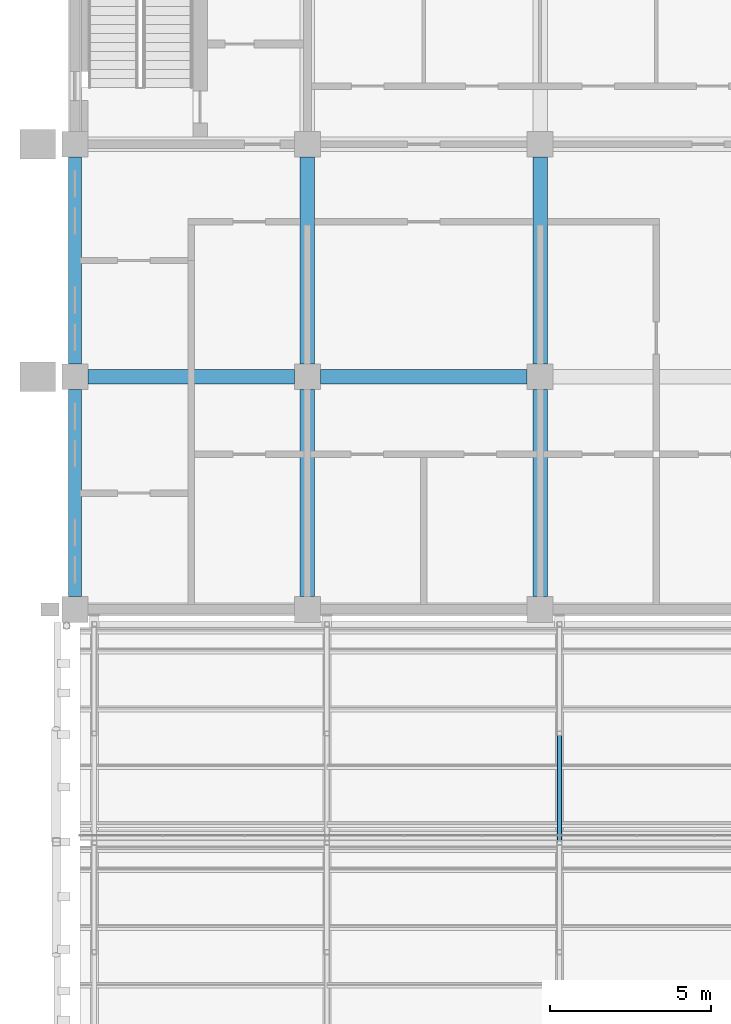
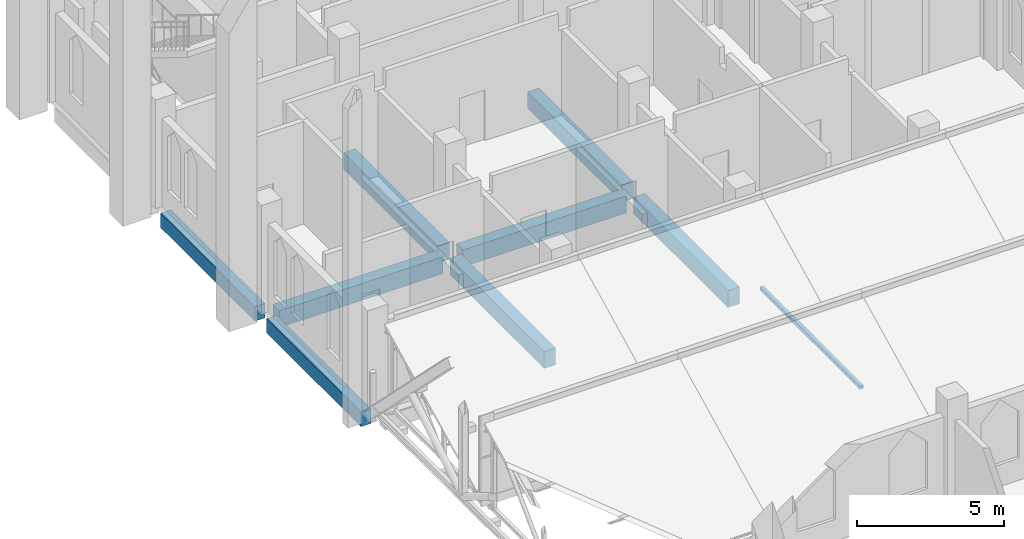
# One storey, part 11 of 29: 8 beams, 1 member.
"""IFC4 building model written with IfcOpenShell, lengths in metres."""

from ifc_helpers import new_model, si_unit, direction, frame, origin, origin_2d, place, context, subcontext, project, spatial, rectangle, hollow_rectangle, extrude, material, material_profile, profile_set, type_object, element, save


model = new_model("IFC4")

# Units and contexts
model_context = context("Model", 3, precision=1e-05, world=origin(), true_north=direction((0.0, 1.0)))
body_context = subcontext(model_context, "Body", "Model", "MODEL_VIEW")
ifc_project = project(units=[si_unit("LENGTHUNIT", "METRE"), si_unit("AREAUNIT", "SQUARE_METRE"), si_unit("VOLUMEUNIT", "CUBIC_METRE"), si_unit("PLANEANGLEUNIT", "RADIAN"), si_unit("MASSUNIT", "GRAM", prefix="KILO")], contexts=[model_context])

# Site, building, storey
site_placement = place(None, origin())
site = spatial("IfcSite", under=ifc_project, at=site_placement, CompositionType="ELEMENT")
building_placement = place(site_placement, origin())
building = spatial("IfcBuilding", under=site, at=building_placement, Name="Silangan Lancet Faculty of Sciences", CompositionType="ELEMENT")
storey_placement = place(building_placement, frame((0.0, 0.0, 40.800048828125)))
storey = spatial("IfcBuildingStorey", under=building, at=storey_placement, Name="L08", CompositionType="ELEMENT", Elevation=40.800048828125)

# Beams
ifc_material_1 = material(Name="Concrete C40/50", Category="concrete")
ifc_material_profile_1 = material_profile(ifc_material_1, rectangle(XDim=0.39990234375, YDim=0.60009765625, at=origin_2d()), Name="RC 400x600")
ifc_profile_set_1 = profile_set([ifc_material_profile_1], Name="Concrete C40/50")
beam_type_1 = type_object("IfcBeamType", Name="BEAM RC 400x600", PredefinedType="BEAM", material=ifc_profile_set_1)
beam_1_placement = place(storey_placement, frame((0.0, 36.39990234375, -0.550048828125), z_axis=(0.0, 1.0, 0.0), x_axis=(-1.0, 0.0, 0.0)))
element("IfcBeam", 1, at=beam_1_placement, inside=storey, type_object=beam_type_1, Name="BM-L08-1F-1G", PredefinedType="BEAM", context=body_context, shape_type="SweptSolid", body=[
    extrude(rectangle(XDim=0.39990234375, YDim=0.60009765625, at=origin_2d()), origin(), (0.0, 0.0, 1.0), 6.400146484375),
])
beam_2_placement = place(storey_placement, frame((0.0, 43.60009765625, -0.550048828125), z_axis=(0.0, 1.0, 0.0), x_axis=(-1.0, 0.0, 0.0)))
element("IfcBeam", 2, at=beam_2_placement, inside=storey, type_object=beam_type_1, Name="BM-L08-1G-1H", PredefinedType="BEAM", context=body_context, shape_type="SweptSolid", body=[
    extrude(rectangle(XDim=0.39990234375, YDim=0.60009765625, at=origin_2d()), origin(), (0.0, 0.0, 1.0), 6.39990234375),
])
ifc_material_2 = material(Name="Concrete C40/50", Category="concrete")
ifc_material_profile_2 = material_profile(ifc_material_2, rectangle(XDim=0.449951171875, YDim=0.699951171875, at=origin_2d()), Name="RC 450x700")
ifc_profile_set_2 = profile_set([ifc_material_profile_2], Name="Concrete C40/50")
beam_type_2 = type_object("IfcBeamType", Name="BEAM RC 450x700", PredefinedType="BEAM", material=ifc_profile_set_2)
beam_3_placement = place(storey_placement, frame((0.39990234375, 43.199951171875, -0.60009765625), z_axis=(1.0, 0.0, 0.0), x_axis=(0.0, 1.0, 0.0)))
element("IfcBeam", 3, at=beam_3_placement, inside=storey, type_object=beam_type_2, Name="BM-L08-1G-2G", PredefinedType="BEAM", context=body_context, shape_type="SweptSolid", body=[
    extrude(rectangle(XDim=0.449951171875, YDim=0.699951171875, at=origin_2d()), origin(), (0.0, 0.0, 1.0), 6.400146484375),
])
beam_4_placement = place(storey_placement, frame((7.60009765625, 43.199951171875, -0.60009765625), z_axis=(1.0, 0.0, 0.0), x_axis=(0.0, 1.0, 0.0)))
element("IfcBeam", 4, at=beam_4_placement, inside=storey, type_object=beam_type_2, Name="BM-L08-2G-3G", PredefinedType="BEAM", context=body_context, shape_type="SweptSolid", body=[
    extrude(rectangle(XDim=0.449951171875, YDim=0.699951171875, at=origin_2d()), origin(), (0.0, 0.0, 1.0), 6.39990234375),
])
beam_5_placement = place(storey_placement, frame((7.199951171875, 36.39990234375, -0.60009765625), z_axis=(0.0, 1.0, 0.0), x_axis=(-1.0, 0.0, 0.0)))
element("IfcBeam", 5, at=beam_5_placement, inside=storey, type_object=beam_type_2, Name="BM-L08-2F-2G", PredefinedType="BEAM", context=body_context, shape_type="SweptSolid", body=[
    extrude(rectangle(XDim=0.449951171875, YDim=0.699951171875, at=origin_2d()), origin(), (0.0, 0.0, 1.0), 6.400146484375),
])
beam_6_placement = place(storey_placement, frame((7.199951171875, 43.60009765625, -0.60009765625), z_axis=(0.0, 1.0, 0.0), x_axis=(-1.0, 0.0, 0.0)))
element("IfcBeam", 6, at=beam_6_placement, inside=storey, type_object=beam_type_2, Name="BM-L08-2G-2H", PredefinedType="BEAM", context=body_context, shape_type="SweptSolid", body=[
    extrude(rectangle(XDim=0.449951171875, YDim=0.699951171875, at=origin_2d()), origin(), (0.0, 0.0, 1.0), 6.39990234375),
])
beam_7_placement = place(storey_placement, frame((14.39990234375, 36.39990234375, -0.60009765625), z_axis=(0.0, 1.0, 0.0), x_axis=(-1.0, 0.0, 0.0)))
element("IfcBeam", 7, at=beam_7_placement, inside=storey, type_object=beam_type_2, Name="BM-L08-3F-3G", PredefinedType="BEAM", context=body_context, shape_type="SweptSolid", body=[
    extrude(rectangle(XDim=0.449951171875, YDim=0.699951171875, at=origin_2d()), origin(), (0.0, 0.0, 1.0), 6.400146484375),
])
beam_8_placement = place(storey_placement, frame((14.39990234375, 43.60009765625, -0.60009765625), z_axis=(0.0, 1.0, 0.0), x_axis=(-1.0, 0.0, 0.0)))
element("IfcBeam", 8, at=beam_8_placement, inside=storey, type_object=beam_type_2, Name="BM-L08-3G-3H", PredefinedType="BEAM", context=body_context, shape_type="SweptSolid", body=[
    extrude(rectangle(XDim=0.449951171875, YDim=0.699951171875, at=origin_2d()), origin(), (0.0, 0.0, 1.0), 6.39990234375),
])

# Member
ifc_material_3 = material(Name="Steel STKR400", Category="steel")
ifc_material_profile_3 = material_profile(ifc_material_3, hollow_rectangle(XDim=0.14990234375, YDim=0.14990234375, WallThickness=0.009033203125, InnerFilletRadius=0.009033203125, OuterFilletRadius=0.01806640625, at=origin_2d()), Name="SHS 150x150x9.0")
ifc_profile_set_3 = profile_set([ifc_material_profile_3], Name="Steel STKR400")
member_type = type_object("IfcMemberType", Name="Truss bottom chord SHS 150x150x9.0", PredefinedType="CHORD", material=ifc_profile_set_3)
member_placement = place(storey_placement, frame((15.0, 28.77001953125, 0.094970703125), z_axis=(0.0, 1.0, 0.0), x_axis=(-1.0, 0.0, 0.0)))
element("IfcMember", 9, at=member_placement, inside=storey, type_object=member_type, Name="Truss 3 bottom chord 2", PredefinedType="CHORD", context=body_context, shape_type="SweptSolid", body=[
    extrude(hollow_rectangle(XDim=0.14990234375, YDim=0.14990234375, WallThickness=0.009033203125, InnerFilletRadius=0.009033203125, OuterFilletRadius=0.01806640625, at=origin_2d()), origin(), (0.0, 0.0, 1.0), 6.77001953125),
])

save(model, "model.ifc")
